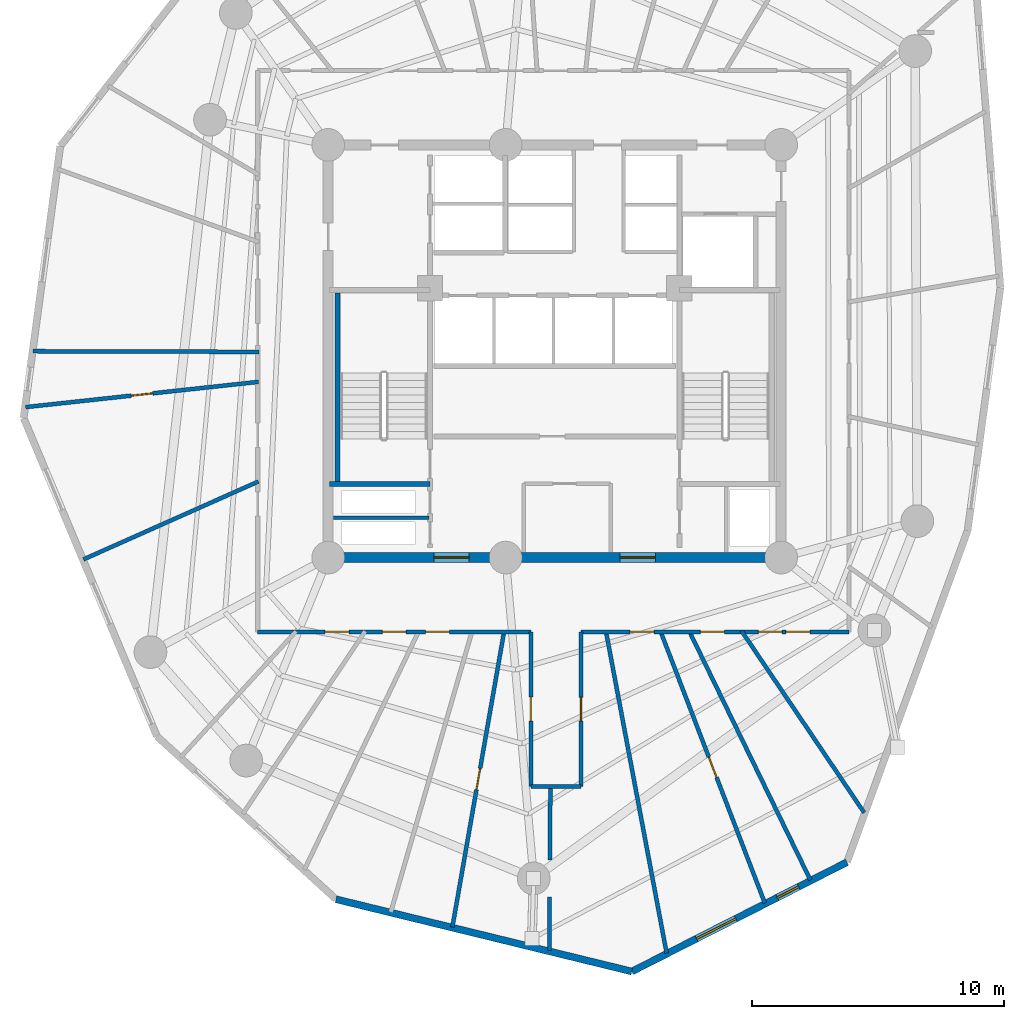
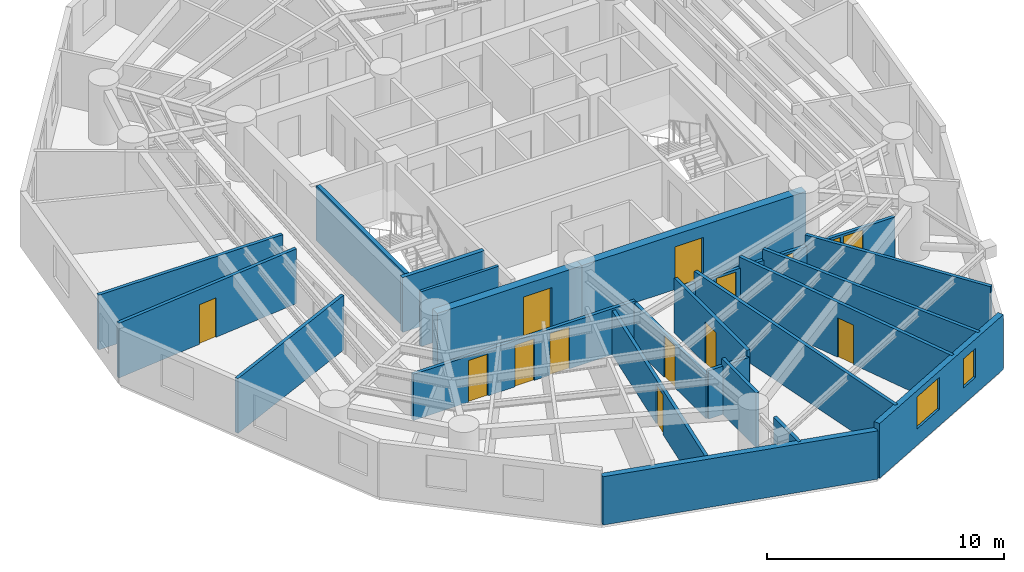
# One storey, part 3 of 8: 22 walls, 14 doors, 2 windows, 16 openings.
"""IFC4 building model written with IfcOpenShell, lengths in metres."""

from ifc_helpers import new_model, si_unit, direction, frame, frame_2d, origin, origin_with_axes, place, context, subcontext, project, spatial, rectangle, extrude, source, transform, mapped, material, layer, layer_set, type_object, element, fill, save


model = new_model("IFC4")

# Units and contexts
model_context = context("Model", 3, precision=1e-05, world=origin(), true_north=direction((0.0, 1.0)))
body_context = subcontext(model_context, "Body", "Model", "MODEL_VIEW")
ifc_project = project(units=[si_unit("LENGTHUNIT", "METRE"), si_unit("AREAUNIT", "SQUARE_METRE"), si_unit("VOLUMEUNIT", "CUBIC_METRE"), si_unit("PLANEANGLEUNIT", "RADIAN"), si_unit("MASSUNIT", "GRAM", prefix="KILO")], contexts=[model_context])

# Site, building, storey
site_placement = place(None, origin())
site = spatial("IfcSite", under=ifc_project, at=site_placement, CompositionType="ELEMENT")
building_placement = place(site_placement, origin())
building = spatial("IfcBuilding", under=site, at=building_placement, Name="Karkom Vertical University and Central Library", CompositionType="ELEMENT")
storey_placement = place(building_placement, frame((0.0, 0.0, 168.75)))
storey = spatial("IfcBuildingStorey", under=building, at=storey_placement, Name="L48", CompositionType="ELEMENT", Elevation=168.75)

# Wall
ifc_material_1 = material(Name="Brick-faced precast concrete C45/55", Category="masonry")
ifc_layer_1 = layer(ifc_material_1, 0.280029296875)
ifc_layer_set_1 = layer_set([ifc_layer_1], Name="Brick-faced precast concrete C45/55")
wall_type_1 = type_object("IfcWallType", Name="ENV-WL-BRK-280", PredefinedType="SOLIDWALL", material=ifc_layer_set_1)
wall_1_placement = place(storey_placement, frame((19.8046875, 4.722900390625, 0.0), z_axis=(0.0, 0.0, 1.0), x_axis=(0.971447044885, -0.237256483544, 0.0)))
element("IfcWall", 1, at=wall_1_placement, inside=storey, type_object=wall_type_1, Name="Level 48 Brick-Faced Precast Facade Wall 04", PredefinedType="SOLIDWALL", context=body_context, shape_type="SweptSolid", body=[
    extrude(rectangle(XDim=12.1083984375, YDim=0.280029296875, at=frame_2d((6.05419921875, 0.0))), origin(), (0.0, 0.0, 1.0), 2.4951171875),
])

# Wall, openings, windows
wall_2_placement = place(storey_placement, frame((31.5673828125, 1.85009765625, 0.0), z_axis=(0.0, 0.0, 1.0), x_axis=(0.891507758559, 0.453005426491, 0.0)))
wall_2 = element("IfcWall", 2, at=wall_2_placement, inside=storey, type_object=wall_type_1, Name="Level 48 Brick-Faced Precast Facade Wall 05", PredefinedType="SOLIDWALL", context=body_context, shape_type="SweptSolid", body=[
    extrude(rectangle(XDim=9.59521484375, YDim=0.280029296875, at=frame_2d((4.797607421875, 0.0))), origin(), (0.0, 0.0, 1.0), 2.824951171875),
])
opening_1_placement = place(wall_2_placement, frame((2.884033203125, 0.0, 0.85009765625)))
opening_1 = element("IfcOpeningElement", 3, at=opening_1_placement, cuts=wall_2, Name="Opening WN-08", PredefinedType="OPENING", context=body_context, shape_type="SweptSolid", body=[
    extrude(rectangle(XDim=1.75, YDim=1.64990234375, at=frame_2d((0.875, 0.824951171875))), frame((0.0, 0.14990234375, 0.0), z_axis=(0.0, -1.0, 0.0), x_axis=(1.0, 0.0, 0.0)), (0.0, 0.0, 1.0), 0.300048828125),
])
opening_2_placement = place(wall_2_placement, frame((6.48388671875, 0.0, 0.85009765625)))
opening_2 = element("IfcOpeningElement", 4, at=opening_2_placement, cuts=wall_2, Name="Opening WN-12", PredefinedType="OPENING", context=body_context, shape_type="SweptSolid", body=[
    extrude(rectangle(XDim=0.949951171875, YDim=1.5, at=frame_2d((0.47509765625, 0.75))), frame((0.0, 0.14990234375, 0.0), z_axis=(0.0, -1.0, 0.0), x_axis=(1.0, 0.0, 0.0)), (0.0, 0.0, 1.0), 0.300048828125),
])
ifc_material_2 = material(Name="Aluminium thermal-break frame with solar-control IGU", Category="aluminium")
window_type_1 = type_object("IfcWindowType", Name="ENV-WIN-WN-12", PartitioningType="SINGLE_PANEL", PredefinedType="WINDOW", material=ifc_material_2)
shared_shape_1 = source(origin_with_axes(), body_context, "Body", "SweptSolid", [
    extrude(rectangle(XDim=0.949951171875, YDim=1.5, at=frame_2d((0.47509765625, 0.75))), frame((0.0, 0.030029296875, 0.0), z_axis=(0.0, -1.0, 0.0), x_axis=(1.0, 0.0, 0.0)), (0.0, 0.0, 1.0), 0.06005859375),
])
window_1_placement = place(opening_2_placement, origin())
window_1 = element("IfcWindow", 5, at=window_1_placement, inside=storey, type_object=window_type_1, Name="Level 48 Punched Window 5.2", OverallHeight=1.5, OverallWidth=0.949951171875, PartitioningType="SINGLE_PANEL", PredefinedType="WINDOW", context=body_context, shape_type="MappedRepresentation", body=[
    mapped(shared_shape_1, transform((0.0, 0.0, 0.0), scale=1.0)),
])
fill(opening_2, window_1)
window_type_2 = type_object("IfcWindowType", Name="ENV-WIN-WN-08", PartitioningType="SINGLE_PANEL", PredefinedType="WINDOW", material=ifc_material_2)
shared_shape_2 = source(origin_with_axes(), body_context, "Body", "SweptSolid", [
    extrude(rectangle(XDim=1.75, YDim=1.64990234375, at=frame_2d((0.875, 0.824951171875))), frame((0.0, 0.030029296875, 0.0), z_axis=(0.0, -1.0, 0.0), x_axis=(1.0, 0.0, 0.0)), (0.0, 0.0, 1.0), 0.06005859375),
])
window_2_placement = place(opening_1_placement, origin())
window_2 = element("IfcWindow", 6, at=window_2_placement, inside=storey, type_object=window_type_2, Name="Level 48 Punched Window 5.1", OverallHeight=1.64990234375, OverallWidth=1.75, PartitioningType="SINGLE_PANEL", PredefinedType="WINDOW", context=body_context, shape_type="MappedRepresentation", body=[
    mapped(shared_shape_2, transform((0.0, 0.0, 0.0), scale=1.0)),
])
fill(opening_1, window_2)

# Wall
ifc_material_3 = material(Name="Insulated metal-stud drywall 160mm", Category="gypsum")
ifc_layer_2 = layer(ifc_material_3, 0.159912109375)
ifc_layer_set_2 = layer_set([ifc_layer_2], Name="Insulated metal-stud drywall 160mm")
wall_type_2 = type_object("IfcWallType", Name="INT-WL-COR-160", PredefinedType="PARTITIONING", material=ifc_layer_set_2)
wall_3_placement = place(storey_placement, frame((30.535400390625, 15.37939453125, 0.0), z_axis=(0.0, 0.0, 1.0), x_axis=(0.185266445882, -0.982688324969, 0.0)))
element("IfcWall", 7, at=wall_3_placement, inside=storey, type_object=wall_type_2, Name="Level 48 Interior Partition Wall L48-PW-011", PredefinedType="PARTITIONING", context=body_context, shape_type="SweptSolid", body=[
    extrude(rectangle(XDim=13.022216796875, YDim=0.159912109375, at=frame_2d((6.51123046875, 0.0))), origin(), (0.0, 0.0, 1.0), 2.824951171875),
])

# Wall, opening, door
wall_4_placement = place(storey_placement, frame((26.493408203125, 15.379638671875, 0.0), z_axis=(0.0, 0.0, 1.0), x_axis=(-0.172341150269, -0.985037323112, 0.0)))
wall_4 = element("IfcWall", 8, at=wall_4_placement, inside=storey, type_object=wall_type_2, Name="Level 48 Interior Partition Wall L48-PW-008", PredefinedType="PARTITIONING", context=body_context, shape_type="SweptSolid", body=[
    extrude(rectangle(XDim=11.940673828125, YDim=0.159912109375, at=frame_2d((5.97021484375, 0.0))), origin(), (0.0, 0.0, 1.0), 2.27490234375),
])
opening_3_placement = place(wall_4_placement, frame((5.540283203125, 0.0, 0.0)))
opening_3 = element("IfcOpeningElement", 9, at=opening_3_placement, cuts=wall_4, Name="Opening FD-BTH2", PredefinedType="OPENING", context=body_context, shape_type="SweptSolid", body=[
    extrude(rectangle(XDim=0.860107421875, YDim=2.0400390625, at=frame_2d((0.43017578125, 1.02001953125))), frame((0.0, 0.08984375, 0.0), z_axis=(0.0, -1.0, 0.0), x_axis=(1.0, 0.0, 0.0)), (0.0, 0.0, 1.0), 0.179931640625),
])
ifc_material_4 = material(Name="Fire-rated moisture-resistant oak door", Category="wood")
door_type_1 = type_object("IfcDoorType", Name="INT-DR-FBTH2", OperationType="NOTDEFINED", PredefinedType="DOOR", material=ifc_material_4)
shared_shape_3 = source(origin_with_axes(), body_context, "Body", "SweptSolid", [
    extrude(rectangle(XDim=0.860107421875, YDim=2.0400390625, at=frame_2d((0.43017578125, 1.02001953125))), frame((0.0, 0.02490234375, 0.0), z_axis=(0.0, -1.0, 0.0), x_axis=(1.0, 0.0, 0.0)), (0.0, 0.0, 1.0), 0.050048828125),
])
door_1_placement = place(opening_3_placement, origin())
door_1 = element("IfcDoor", 10, at=door_1_placement, inside=storey, type_object=door_type_1, Name="Level 48 Academic Collaborative Study Lounge Entry Door", OperationType="SINGLE_SWING_LEFT", OverallHeight=2.0400390625, OverallWidth=0.860107421875, PredefinedType="DOOR", context=body_context, shape_type="MappedRepresentation", body=[
    mapped(shared_shape_3, transform((0.0, 0.0, 0.0), scale=1.0)),
])
fill(opening_3, door_1)

wall_5_placement = place(storey_placement, frame((32.70361328125, 15.3779296875, 0.0), z_axis=(0.0, 0.0, 1.0), x_axis=(0.358255772145, -0.933623479634, 0.0)))
wall_5 = element("IfcWall", 11, at=wall_5_placement, inside=storey, type_object=wall_type_2, Name="Level 48 Interior Partition Wall L48-PW-012", PredefinedType="PARTITIONING", context=body_context, shape_type="SweptSolid", body=[
    extrude(rectangle(XDim=11.582275390625, YDim=0.159912109375, at=frame_2d((5.791015625, 0.0))), origin(), (0.0, 0.0, 1.0), 2.824951171875),
])
opening_4_placement = place(wall_5_placement, frame((5.361083984375, 0.0, 0.0)))
opening_4 = element("IfcOpeningElement", 12, at=opening_4_placement, cuts=wall_5, Name="Opening FD-BTH2", PredefinedType="OPENING", context=body_context, shape_type="SweptSolid", body=[
    extrude(rectangle(XDim=0.860107421875, YDim=2.0400390625, at=frame_2d((0.43017578125, 1.02001953125))), frame((0.0, 0.08984375, 0.0), z_axis=(0.0, -1.0, 0.0), x_axis=(1.0, 0.0, 0.0)), (0.0, 0.0, 1.0), 0.179931640625),
])
door_2_placement = place(opening_4_placement, origin())
door_2 = element("IfcDoor", 13, at=door_2_placement, inside=storey, type_object=door_type_1, Name="Level 48 Campus Student Health Counseling Clinic Entry Door", OperationType="SINGLE_SWING_RIGHT", OverallHeight=2.0400390625, OverallWidth=0.860107421875, PredefinedType="DOOR", context=body_context, shape_type="MappedRepresentation", body=[
    mapped(shared_shape_3, transform((0.0, 0.0, 0.0), scale=1.0)),
])
fill(opening_4, door_2)

# Wall
wall_6_placement = place(storey_placement, frame((33.847412109375, 15.376953125, 0.0), z_axis=(0.0, 0.0, 1.0), x_axis=(0.437647071578, -0.899146840477, 0.0)))
element("IfcWall", 14, at=wall_6_placement, inside=storey, type_object=wall_type_2, Name="Level 48 Interior Partition Wall L48-PW-013", PredefinedType="PARTITIONING", context=body_context, shape_type="SweptSolid", body=[
    extrude(rectangle(XDim=11.0029296875, YDim=0.159912109375, at=frame_2d((5.50146484375, 0.0))), origin(), (0.0, 0.0, 1.0), 2.824951171875),
])

# Wall, openings, doors
wall_7_placement = place(storey_placement, frame((27.550048828125, 15.35009765625, 0.0), z_axis=(0.0, 0.0, 1.0), x_axis=(-1.0, 0.0, 0.0)))
wall_7 = element("IfcWall", 15, at=wall_7_placement, inside=storey, type_object=wall_type_2, Name="Level 48 Interior Partition Wall L48-CORW-CW-001", PredefinedType="PARTITIONING", context=body_context, shape_type="SweptSolid", body=[
    extrude(rectangle(XDim=10.85009765625, YDim=0.159912109375, at=frame_2d((5.425048828125, 0.0))), origin(), (0.0, 0.0, 1.0), 2.375),
])
opening_5_placement = place(wall_7_placement, frame((7.217529296875, 0.0, 0.0)))
opening_5 = element("IfcOpeningElement", 16, at=opening_5_placement, cuts=wall_7, Name="Opening D-RM1", PredefinedType="OPENING", context=body_context, shape_type="SweptSolid", body=[
    extrude(rectangle(XDim=0.949951171875, YDim=2.14990234375, at=frame_2d((0.47509765625, 1.074951171875))), frame((0.0, 0.08984375, 0.0), z_axis=(0.0, -1.0, 0.0), x_axis=(1.0, 0.0, 0.0)), (0.0, 0.0, 1.0), 0.179931640625),
])
opening_6_placement = place(wall_7_placement, frame((4.949951171875, 0.0, 0.0)))
opening_6 = element("IfcOpeningElement", 17, at=opening_6_placement, cuts=wall_7, Name="Opening D-RM1", PredefinedType="OPENING", context=body_context, shape_type="SweptSolid", body=[
    extrude(rectangle(XDim=0.949951171875, YDim=2.14990234375, at=frame_2d((0.47509765625, 1.074951171875))), frame((0.0, 0.08984375, 0.0), z_axis=(0.0, -1.0, 0.0), x_axis=(1.0, 0.0, 0.0)), (0.0, 0.0, 1.0), 0.179931640625),
])
opening_7_placement = place(wall_7_placement, frame((3.232421875, 0.0, 0.0)))
opening_7 = element("IfcOpeningElement", 18, at=opening_7_placement, cuts=wall_7, Name="Opening D-RM1", PredefinedType="OPENING", context=body_context, shape_type="SweptSolid", body=[
    extrude(rectangle(XDim=0.949951171875, YDim=2.14990234375, at=frame_2d((0.47509765625, 1.074951171875))), frame((0.0, 0.08984375, 0.0), z_axis=(0.0, -1.0, 0.0), x_axis=(1.0, 0.0, 0.0)), (0.0, 0.0, 1.0), 0.179931640625),
])
ifc_material_5 = material(Name="Solid-core oak veneer door", Category="wood")
door_type_2 = type_object("IfcDoorType", Name="INT-DR-RM1", OperationType="NOTDEFINED", PredefinedType="DOOR", material=ifc_material_5)
shared_shape_4 = source(origin_with_axes(), body_context, "Body", "SweptSolid", [
    extrude(rectangle(XDim=0.949951171875, YDim=2.14990234375, at=frame_2d((0.47509765625, 1.074951171875))), frame((0.0, 0.02490234375, 0.0), z_axis=(0.0, -1.0, 0.0), x_axis=(1.0, 0.0, 0.0)), (0.0, 0.0, 1.0), 0.050048828125),
])
door_3_placement = place(opening_5_placement, origin())
door_3 = element("IfcDoor", 19, at=door_3_placement, inside=storey, type_object=door_type_2, Name="Level 48 Room Entry Door 030", OperationType="SINGLE_SWING_RIGHT", OverallHeight=2.14990234375, OverallWidth=0.949951171875, PredefinedType="DOOR", context=body_context, shape_type="MappedRepresentation", body=[
    mapped(shared_shape_4, transform((0.0, 0.0, 0.0), scale=1.0)),
])
fill(opening_5, door_3)
door_4_placement = place(opening_6_placement, origin())
door_4 = element("IfcDoor", 20, at=door_4_placement, inside=storey, type_object=door_type_2, Name="Level 48 Room Entry Door 040", OperationType="SINGLE_SWING_LEFT", OverallHeight=2.14990234375, OverallWidth=0.949951171875, PredefinedType="DOOR", context=body_context, shape_type="MappedRepresentation", body=[
    mapped(shared_shape_4, transform((0.0, 0.0, 0.0), scale=1.0)),
])
fill(opening_6, door_4)
door_5_placement = place(opening_7_placement, origin())
door_5 = element("IfcDoor", 21, at=door_5_placement, inside=storey, type_object=door_type_2, Name="Level 48 Room Entry Door 050", OperationType="SINGLE_SWING_RIGHT", OverallHeight=2.14990234375, OverallWidth=0.949951171875, PredefinedType="DOOR", context=body_context, shape_type="MappedRepresentation", body=[
    mapped(shared_shape_4, transform((0.0, 0.0, 0.0), scale=1.0)),
])
fill(opening_7, door_5)

wall_8_placement = place(storey_placement, frame((40.199951171875, 15.35009765625, 0.0), z_axis=(0.0, 0.0, 1.0), x_axis=(-1.0, 0.0, 0.0)))
wall_8 = element("IfcWall", 22, at=wall_8_placement, inside=storey, type_object=wall_type_2, Name="Level 48 Interior Partition Wall L48-CORW-CW-005", PredefinedType="PARTITIONING", context=body_context, shape_type="SweptSolid", body=[
    extrude(rectangle(XDim=10.64990234375, YDim=0.159912109375, at=frame_2d((5.324951171875, 0.0))), origin(), (0.0, 0.0, 1.0), 2.27490234375),
])
opening_8_placement = place(wall_8_placement, frame((7.75244140625, 0.0, 0.0)))
opening_8 = element("IfcOpeningElement", 23, at=opening_8_placement, cuts=wall_8, Name="Opening D-RM1", PredefinedType="OPENING", context=body_context, shape_type="SweptSolid", body=[
    extrude(rectangle(XDim=0.949951171875, YDim=2.14990234375, at=frame_2d((0.47509765625, 1.074951171875))), frame((0.0, 0.08984375, 0.0), z_axis=(0.0, -1.0, 0.0), x_axis=(1.0, 0.0, 0.0)), (0.0, 0.0, 1.0), 0.179931640625),
])
opening_9_placement = place(wall_8_placement, frame((4.95751953125, 0.0, 0.0)))
opening_9 = element("IfcOpeningElement", 24, at=opening_9_placement, cuts=wall_8, Name="Opening D-RM1", PredefinedType="OPENING", context=body_context, shape_type="SweptSolid", body=[
    extrude(rectangle(XDim=0.949951171875, YDim=2.14990234375, at=frame_2d((0.47509765625, 1.074951171875))), frame((0.0, 0.08984375, 0.0), z_axis=(0.0, -1.0, 0.0), x_axis=(1.0, 0.0, 0.0)), (0.0, 0.0, 1.0), 0.179931640625),
])
opening_10_placement = place(wall_8_placement, frame((2.659912109375, 0.0, 0.0)))
opening_10 = element("IfcOpeningElement", 25, at=opening_10_placement, cuts=wall_8, Name="Opening D-RM1", PredefinedType="OPENING", context=body_context, shape_type="SweptSolid", body=[
    extrude(rectangle(XDim=0.949951171875, YDim=2.14990234375, at=frame_2d((0.47509765625, 1.074951171875))), frame((0.0, 0.08984375, 0.0), z_axis=(0.0, -1.0, 0.0), x_axis=(1.0, 0.0, 0.0)), (0.0, 0.0, 1.0), 0.179931640625),
])
opening_11_placement = place(wall_8_placement, frame((1.5625, 0.0, 0.0)))
opening_11 = element("IfcOpeningElement", 26, at=opening_11_placement, cuts=wall_8, Name="Opening D-RM1", PredefinedType="OPENING", context=body_context, shape_type="SweptSolid", body=[
    extrude(rectangle(XDim=0.949951171875, YDim=2.14990234375, at=frame_2d((0.47509765625, 1.074951171875))), frame((0.0, 0.08984375, 0.0), z_axis=(0.0, -1.0, 0.0), x_axis=(1.0, 0.0, 0.0)), (0.0, 0.0, 1.0), 0.179931640625),
])
door_6_placement = place(opening_8_placement, origin())
door_6 = element("IfcDoor", 27, at=door_6_placement, inside=storey, type_object=door_type_2, Name="Level 48 Room Entry Door 090", OperationType="SINGLE_SWING_LEFT", OverallHeight=2.14990234375, OverallWidth=0.949951171875, PredefinedType="DOOR", context=body_context, shape_type="MappedRepresentation", body=[
    mapped(shared_shape_4, transform((0.0, 0.0, 0.0), scale=1.0)),
])
fill(opening_8, door_6)
door_7_placement = place(opening_9_placement, origin())
door_7 = element("IfcDoor", 28, at=door_7_placement, inside=storey, type_object=door_type_2, Name="Level 48 Room Entry Door 100", OperationType="SINGLE_SWING_RIGHT", OverallHeight=2.14990234375, OverallWidth=0.949951171875, PredefinedType="DOOR", context=body_context, shape_type="MappedRepresentation", body=[
    mapped(shared_shape_4, transform((0.0, 0.0, 0.0), scale=1.0)),
])
fill(opening_9, door_7)
door_8_placement = place(opening_10_placement, origin())
door_8 = element("IfcDoor", 29, at=door_8_placement, inside=storey, type_object=door_type_2, Name="Level 48 Room Entry Door 110", OperationType="SINGLE_SWING_LEFT", OverallHeight=2.14990234375, OverallWidth=0.949951171875, PredefinedType="DOOR", context=body_context, shape_type="MappedRepresentation", body=[
    mapped(shared_shape_4, transform((0.0, 0.0, 0.0), scale=1.0)),
])
fill(opening_10, door_8)
door_9_placement = place(opening_11_placement, origin())
door_9 = element("IfcDoor", 30, at=door_9_placement, inside=storey, type_object=door_type_2, Name="Level 48 Room Entry Door 120", OperationType="SINGLE_SWING_RIGHT", OverallHeight=2.14990234375, OverallWidth=0.949951171875, PredefinedType="DOOR", context=body_context, shape_type="MappedRepresentation", body=[
    mapped(shared_shape_4, transform((0.0, 0.0, 0.0), scale=1.0)),
])
fill(opening_11, door_9)

# Wall, opening, door
wall_9_placement = place(storey_placement, frame((16.729736328125, 25.28271484375, 0.0), z_axis=(0.0, 0.0, 1.0), x_axis=(-0.994162948794, -0.107888976475, 0.0)))
wall_9 = element("IfcWall", 31, at=wall_9_placement, inside=storey, type_object=wall_type_2, Name="Level 48 Interior Partition Wall L48-PW-001", PredefinedType="PARTITIONING", context=body_context, shape_type="SweptSolid", body=[
    extrude(rectangle(XDim=9.307373046875, YDim=0.159912109375, at=frame_2d((4.65380859375, 0.0))), origin(), (0.0, 0.0, 1.0), 2.824951171875),
])
opening_12_placement = place(wall_9_placement, frame((4.2236328125, 0.0, 0.0)))
opening_12 = element("IfcOpeningElement", 32, at=opening_12_placement, cuts=wall_9, Name="Opening FD-BTH2", PredefinedType="OPENING", context=body_context, shape_type="SweptSolid", body=[
    extrude(rectangle(XDim=0.860107421875, YDim=2.0400390625, at=frame_2d((0.43017578125, 1.02001953125))), frame((0.0, 0.08984375, 0.0), z_axis=(0.0, -1.0, 0.0), x_axis=(1.0, 0.0, 0.0)), (0.0, 0.0, 1.0), 0.179931640625),
])
door_10_placement = place(opening_12_placement, origin())
door_10 = element("IfcDoor", 33, at=door_10_placement, inside=storey, type_object=door_type_1, Name="Level 48 Faculty Consultation and Research Office Entry Door", OperationType="SINGLE_SWING_RIGHT", OverallHeight=2.0400390625, OverallWidth=0.860107421875, PredefinedType="DOOR", context=body_context, shape_type="MappedRepresentation", body=[
    mapped(shared_shape_3, transform((0.0, 0.0, 0.0), scale=1.0)),
])
fill(opening_12, door_10)

# Walls
wall_10_placement = place(storey_placement, frame((7.775146484375, 26.500244140625, 0.0), z_axis=(0.0, 0.0, 1.0), x_axis=(0.999995759346, -0.002912265487, 0.0)))
element("IfcWall", 34, at=wall_10_placement, inside=storey, type_object=wall_type_2, Name="Level 48 Interior Partition Wall L48-PW-002", PredefinedType="PARTITIONING", context=body_context, shape_type="SweptSolid", body=[
    extrude(rectangle(XDim=8.969970703125, YDim=0.159912109375, at=frame_2d((4.48486328125, 0.0))), origin(), (0.0, 0.0, 1.0), 2.824951171875),
])
wall_11_placement = place(storey_placement, frame((35.92431640625, 15.38720703125, 0.0), z_axis=(0.0, 0.0, 1.0), x_axis=(0.559237513515, -0.829007480954, 0.0)))
element("IfcWall", 35, at=wall_11_placement, inside=storey, type_object=wall_type_2, Name="Level 48 Interior Partition Wall L48-PW-014", PredefinedType="PARTITIONING", context=body_context, shape_type="SweptSolid", body=[
    extrude(rectangle(XDim=8.71337890625, YDim=0.159912109375, at=frame_2d((4.356689453125, 0.0))), origin(), (0.0, 0.0, 1.0), 2.824951171875),
])
wall_12_placement = place(storey_placement, frame((16.727294921875, 21.323486328125, 0.0), z_axis=(0.0, 0.0, 1.0), x_axis=(-0.913525664491, -0.406781096311, 0.0)))
element("IfcWall", 36, at=wall_12_placement, inside=storey, type_object=wall_type_2, Name="Level 48 Interior Partition Wall L48-PW-003", PredefinedType="PARTITIONING", context=body_context, shape_type="SweptSolid", body=[
    extrude(rectangle(XDim=7.612548828125, YDim=0.159912109375, at=frame_2d((3.80615234375, 0.0))), origin(), (0.0, 0.0, 1.0), 2.824951171875),
])

# Wall, opening, door
wall_13_placement = place(storey_placement, frame((29.550048828125, 15.35009765625, 0.0), z_axis=(0.0, 0.0, 1.0), x_axis=(0.0, -1.0, 0.0)))
wall_13 = element("IfcWall", 37, at=wall_13_placement, inside=storey, type_object=wall_type_2, Name="Level 48 Interior Partition Wall L48-CORW-CW-006", PredefinedType="PARTITIONING", context=body_context, shape_type="SweptSolid", body=[
    extrude(rectangle(XDim=6.150146484375, YDim=0.159912109375, at=frame_2d((3.0751953125, 0.0))), origin(), (0.0, 0.0, 1.0), 2.824951171875),
])
opening_13_placement = place(wall_13_placement, frame((2.60009765625, 0.0, 0.0)))
opening_13 = element("IfcOpeningElement", 38, at=opening_13_placement, cuts=wall_13, Name="Opening D-RM1", PredefinedType="OPENING", context=body_context, shape_type="SweptSolid", body=[
    extrude(rectangle(XDim=0.949951171875, YDim=2.14990234375, at=frame_2d((0.47509765625, 1.074951171875))), frame((0.0, 0.08984375, 0.0), z_axis=(0.0, -1.0, 0.0), x_axis=(1.0, 0.0, 0.0)), (0.0, 0.0, 1.0), 0.179931640625),
])
door_11_placement = place(opening_13_placement, origin())
door_11 = element("IfcDoor", 39, at=door_11_placement, inside=storey, type_object=door_type_2, Name="Level 48 Room Entry Door 080", OperationType="SINGLE_SWING_RIGHT", OverallHeight=2.14990234375, OverallWidth=0.949951171875, PredefinedType="DOOR", context=body_context, shape_type="MappedRepresentation", body=[
    mapped(shared_shape_4, transform((0.0, 0.0, 0.0), scale=1.0)),
])
fill(opening_13, door_11)

wall_14_placement = place(storey_placement, frame((27.550048828125, 9.199951171875, 0.0), z_axis=(0.0, 0.0, 1.0), x_axis=(0.0, 1.0, 0.0)))
wall_14 = element("IfcWall", 40, at=wall_14_placement, inside=storey, type_object=wall_type_2, Name="Level 48 Interior Partition Wall L48-CORW-CW-008", PredefinedType="PARTITIONING", context=body_context, shape_type="SweptSolid", body=[
    extrude(rectangle(XDim=6.150146484375, YDim=0.159912109375, at=frame_2d((3.0751953125, 0.0))), origin(), (0.0, 0.0, 1.0), 2.27490234375),
])
opening_14_placement = place(wall_14_placement, frame((2.60009765625, 0.0, 0.0)))
opening_14 = element("IfcOpeningElement", 41, at=opening_14_placement, cuts=wall_14, Name="Opening D-RM1", PredefinedType="OPENING", context=body_context, shape_type="SweptSolid", body=[
    extrude(rectangle(XDim=0.949951171875, YDim=2.14990234375, at=frame_2d((0.47509765625, 1.074951171875))), frame((0.0, 0.08984375, 0.0), z_axis=(0.0, -1.0, 0.0), x_axis=(1.0, 0.0, 0.0)), (0.0, 0.0, 1.0), 0.179931640625),
])
door_12_placement = place(opening_14_placement, origin())
door_12 = element("IfcDoor", 42, at=door_12_placement, inside=storey, type_object=door_type_2, Name="Level 48 Room Entry Door 070", OperationType="SINGLE_SWING_LEFT", OverallHeight=2.14990234375, OverallWidth=0.949951171875, PredefinedType="DOOR", context=body_context, shape_type="MappedRepresentation", body=[
    mapped(shared_shape_4, transform((0.0, 0.0, 0.0), scale=1.0)),
])
fill(opening_14, door_12)

# Walls
wall_15_placement = place(storey_placement, frame((28.328125, 9.22998046875, 0.0), z_axis=(0.0, 0.0, 1.0), x_axis=(-0.006475042741, -0.999979036691, 0.0)))
element("IfcWall", 43, at=wall_15_placement, inside=storey, type_object=wall_type_2, Name="Level 48 Interior Partition Wall L48-PW-009", PredefinedType="PARTITIONING", context=body_context, shape_type="SweptSolid", body=[
    extrude(rectangle(XDim=2.94091796875, YDim=0.159912109375, at=frame_2d((1.470458984375, 0.0))), origin(), (0.0, 0.0, 1.0), 2.824951171875),
])
wall_16_placement = place(storey_placement, frame((28.299560546875, 4.80908203125, 0.0), z_axis=(0.0, 0.0, 1.0), x_axis=(-0.006532811882, -0.999978660957, 0.0)))
element("IfcWall", 44, at=wall_16_placement, inside=storey, type_object=wall_type_2, Name="Level 48 Interior Partition Wall L48-PW-010", PredefinedType="PARTITIONING", context=body_context, shape_type="SweptSolid", body=[
    extrude(rectangle(XDim=2.130126953125, YDim=0.159912109375, at=frame_2d((1.06494140625, 0.0))), origin(), (0.0, 0.0, 1.0), 2.4951171875),
])
wall_17_placement = place(storey_placement, frame((29.550048828125, 9.199951171875, 0.0), z_axis=(0.0, 0.0, 1.0), x_axis=(-1.0, 0.0, 0.0)))
element("IfcWall", 45, at=wall_17_placement, inside=storey, type_object=wall_type_2, Name="Level 48 Interior Partition Wall L48-CORW-CW-007", PredefinedType="PARTITIONING", context=body_context, shape_type="SweptSolid", body=[
    extrude(rectangle(XDim=2.0, YDim=0.159912109375, at=frame_2d((1.0, 0.0))), origin(), (0.0, 0.0, 1.0), 2.4951171875),
])
ifc_material_6 = material(Name="Metal-stud gypsum partition 140mm", Category="gypsum")
ifc_layer_3 = layer(ifc_material_6, 0.139892578125)
ifc_layer_set_3 = layer_set([ifc_layer_3], Name="Metal-stud gypsum partition 140mm")
wall_type_3 = type_object("IfcWallType", Name="INT-WL-SUB-140H", PredefinedType="PARTITIONING", material=ifc_layer_set_3)
wall_18_placement = place(storey_placement, frame((19.70703125, 19.889892578125, 0.0), z_axis=(0.0, 0.0, 1.0), x_axis=(1.0, 0.0, 0.0)))
element("IfcWall", 46, at=wall_18_placement, inside=storey, type_object=wall_type_3, Name="Level 48 Interior Partition Wall L48-CW-RIS-W", PredefinedType="PARTITIONING", context=body_context, shape_type="SweptSolid", body=[
    extrude(rectangle(XDim=3.789794921875, YDim=0.139892578125, at=frame_2d((1.89501953125, 0.0))), origin(), (0.0, 0.0, 1.0), 2.824951171875),
])

# Wall, opening, door
ifc_material_7 = material(Name="Concrete C50/60", Category="concrete")
ifc_layer_4 = layer(ifc_material_7, 0.39990234375)
ifc_layer_set_4 = layer_set([ifc_layer_4], Name="Concrete C50/60")
wall_type_4 = type_object("IfcWallType", Name="STR-WL-CW-400", PredefinedType="SHEAR", material=ifc_layer_set_4)
wall_19_placement = place(storey_placement, frame((19.5, 18.300048828125, 0.0), z_axis=(0.0, 0.0, 1.0), x_axis=(1.0, 0.0, 0.0)))
wall_19 = element("IfcWall", 47, at=wall_19_placement, inside=storey, type_object=wall_type_4, Name="Level 48 Central Core Shear Wall SW1", PredefinedType="SHEAR", context=body_context, shape_type="SweptSolid", body=[
    extrude(rectangle(XDim=7.050048828125, YDim=0.39990234375, at=frame_2d((3.52490234375, 0.0))), origin(), (0.0, 0.0, 1.0), 2.824951171875),
])
opening_15_placement = place(wall_19_placement, frame((4.199951171875, 0.0, 0.0)))
opening_15 = element("IfcOpeningElement", 48, at=opening_15_placement, cuts=wall_19, Name="Opening FD-CLB", PredefinedType="OPENING", context=body_context, shape_type="SweptSolid", body=[
    extrude(rectangle(XDim=1.39990234375, YDim=2.199951171875, at=frame_2d((0.699951171875, 1.10009765625))), frame((0.0, 0.2099609375, 0.0), z_axis=(0.0, -1.0, 0.0), x_axis=(1.0, 0.0, 0.0)), (0.0, 0.0, 1.0), 0.419921875),
])
ifc_material_8 = material(Name="Painted steel fire door", Category="steel")
door_type_3 = type_object("IfcDoorType", Name="INT-DR-CLB", OperationType="DOUBLE_DOOR_SINGLE_SWING", PredefinedType="DOOR", material=ifc_material_8)
shared_shape_5 = source(origin_with_axes(), body_context, "Body", "SweptSolid", [
    extrude(rectangle(XDim=1.39990234375, YDim=2.199951171875, at=frame_2d((0.699951171875, 1.10009765625))), frame((0.0, 0.02490234375, 0.0), z_axis=(0.0, -1.0, 0.0), x_axis=(1.0, 0.0, 0.0)), (0.0, 0.0, 1.0), 0.050048828125),
])
door_13_placement = place(opening_15_placement, origin())
door_13 = element("IfcDoor", 49, at=door_13_placement, inside=storey, type_object=door_type_3, Name="Level 48 South Core Lobby West Exit Door", OperationType="DOUBLE_DOOR_SINGLE_SWING", OverallHeight=2.199951171875, OverallWidth=1.39990234375, PredefinedType="DOOR", context=body_context, shape_type="MappedRepresentation", body=[
    mapped(shared_shape_5, transform((0.0, 0.0, 0.0), scale=1.0)),
])
fill(opening_15, door_13)

wall_20_placement = place(storey_placement, frame((26.550048828125, 18.300048828125, 0.0), z_axis=(0.0, 0.0, 1.0), x_axis=(1.0, 0.0, 0.0)))
wall_20 = element("IfcWall", 50, at=wall_20_placement, inside=storey, type_object=wall_type_4, Name="Level 48 Central Core Shear Wall SW2", PredefinedType="SHEAR", context=body_context, shape_type="SweptSolid", body=[
    extrude(rectangle(XDim=10.949951171875, YDim=0.39990234375, at=frame_2d((5.47509765625, 0.0))), origin(), (0.0, 0.0, 1.0), 2.824951171875),
])
opening_16_placement = place(wall_20_placement, frame((4.550048828125, 0.0, 0.0)))
opening_16 = element("IfcOpeningElement", 51, at=opening_16_placement, cuts=wall_20, Name="Opening FD-CLB", PredefinedType="OPENING", context=body_context, shape_type="SweptSolid", body=[
    extrude(rectangle(XDim=1.39990234375, YDim=2.199951171875, at=frame_2d((0.699951171875, 1.10009765625))), frame((0.0, 0.2099609375, 0.0), z_axis=(0.0, -1.0, 0.0), x_axis=(1.0, 0.0, 0.0)), (0.0, 0.0, 1.0), 0.419921875),
])
door_14_placement = place(opening_16_placement, origin())
door_14 = element("IfcDoor", 52, at=door_14_placement, inside=storey, type_object=door_type_3, Name="Level 48 South Core Lobby East Exit Door", OperationType="DOUBLE_DOOR_SINGLE_SWING", OverallHeight=2.199951171875, OverallWidth=1.39990234375, PredefinedType="DOOR", context=body_context, shape_type="MappedRepresentation", body=[
    mapped(shared_shape_5, transform((0.0, 0.0, 0.0), scale=1.0)),
])
fill(opening_16, door_14)

# Walls
ifc_material_9 = material(Name="Concrete C45/55", Category="concrete")
ifc_layer_5 = layer(ifc_material_9, 0.199951171875)
ifc_layer_set_5 = layer_set([ifc_layer_5], Name="Concrete C45/55")
wall_type_5 = type_object("IfcWallType", Name="STR-WL-ST-200", PredefinedType="SHEAR", material=ifc_layer_set_5)
wall_21_placement = place(storey_placement, frame((19.875, 21.320068359375, 0.0), z_axis=(0.0, 0.0, 1.0), x_axis=(0.0, 1.0, 0.0)))
element("IfcWall", 53, at=wall_21_placement, inside=storey, type_object=wall_type_5, Name="Level 48 Core Shaft Wall L48-CW-ST1-W", PredefinedType="SHEAR", context=body_context, shape_type="SweptSolid", body=[
    extrude(rectangle(XDim=7.5, YDim=0.199951171875, at=frame_2d((3.75, 0.0))), origin(), (0.0, 0.0, 1.0), 2.824951171875),
])
wall_22_placement = place(storey_placement, frame((19.550048828125, 21.215087890625, 0.0), z_axis=(0.0, 0.0, 1.0), x_axis=(1.0, 0.0, 0.0)))
element("IfcWall", 54, at=wall_22_placement, inside=storey, type_object=wall_type_5, Name="Level 48 Core Shaft Wall L48-CW-ST1-S", PredefinedType="SHEAR", context=body_context, shape_type="SweptSolid", body=[
    extrude(rectangle(XDim=3.994873046875, YDim=0.199951171875, at=frame_2d((1.99755859375, 0.0))), origin(), (0.0, 0.0, 1.0), 2.824951171875),
])

save(model, "model.ifc")
